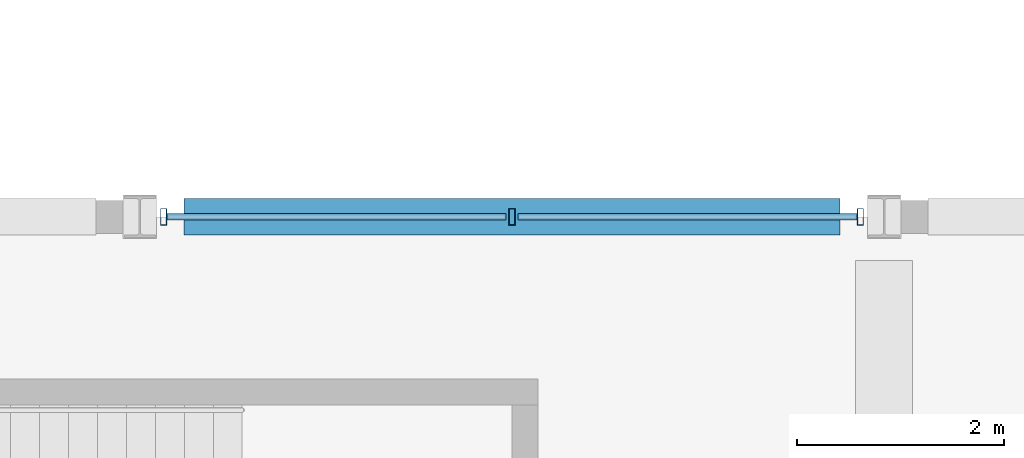
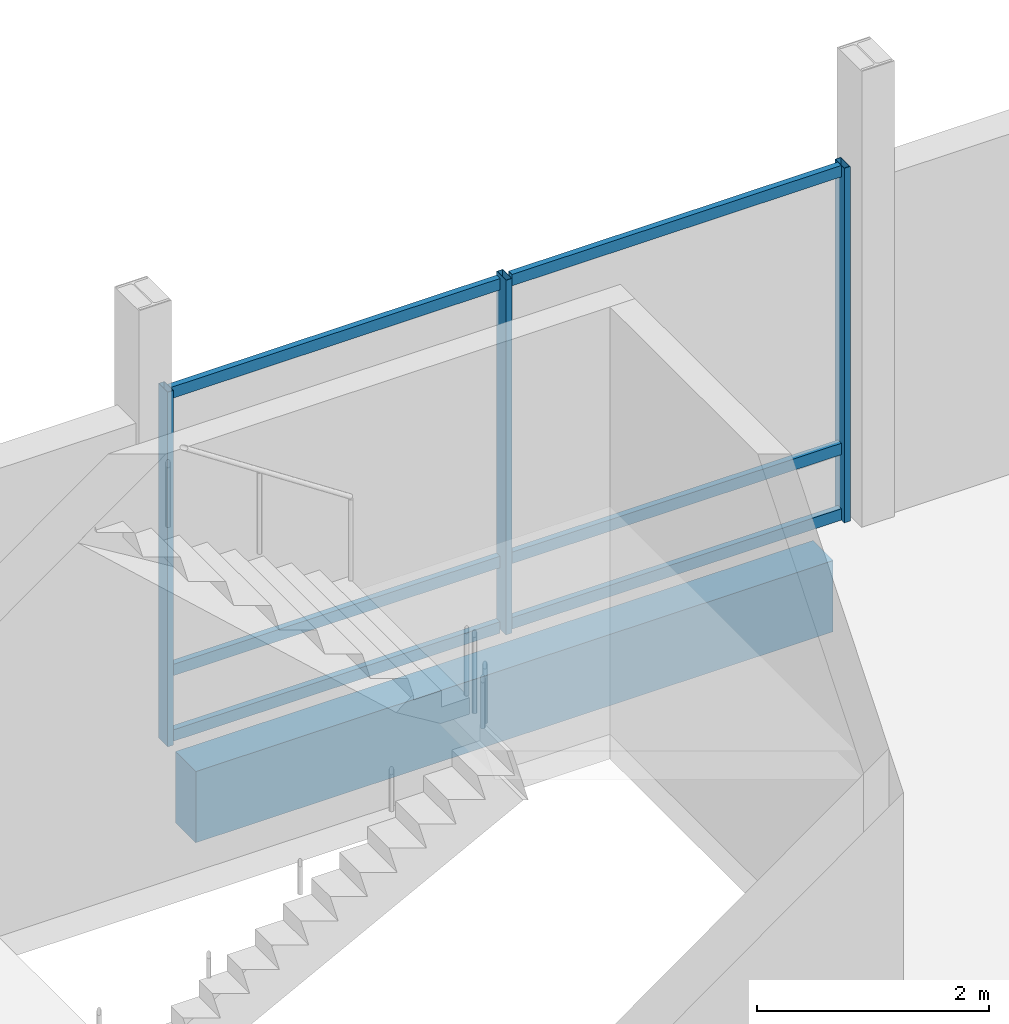
# One storey, part 39 of 220: 9 members, 1 beam, 1 element without a shape of its own.
"""IFC4 building model written with IfcOpenShell, lengths in metres."""

from ifc_helpers import new_model, si_unit, direction, frame, origin, origin_2d, place, context, subcontext, project, spatial, rectangle, hollow_rectangle, extrude, material, material_profile, profile_set, type_object, element, aggregate, save


model = new_model("IFC4")

# Units and contexts
model_context = context("Model", 3, precision=1e-05, world=origin(), true_north=direction((0.0, 1.0)))
body_context = subcontext(model_context, "Body", "Model", "MODEL_VIEW")
ifc_project = project(units=[si_unit("LENGTHUNIT", "METRE"), si_unit("AREAUNIT", "SQUARE_METRE"), si_unit("VOLUMEUNIT", "CUBIC_METRE"), si_unit("PLANEANGLEUNIT", "RADIAN"), si_unit("MASSUNIT", "GRAM", prefix="KILO")], contexts=[model_context])

# Site, building, storey
site_placement = place(None, origin())
site = spatial("IfcSite", under=ifc_project, at=site_placement, CompositionType="ELEMENT")
building_placement = place(site_placement, origin())
building = spatial("IfcBuilding", under=site, at=building_placement, Name="Cendralis Lancet Convention Centre", CompositionType="ELEMENT")
storey_placement = place(building_placement, frame((0.0, 0.0, 5.39990234375)))
storey = spatial("IfcBuildingStorey", under=building, at=storey_placement, Name="L01", CompositionType="ELEMENT", Elevation=5.39990234375)

# Curtain wall, members
ifc_material_1 = material(Name="Anodised bronze architectural aluminium", Category="aluminium")
curtain_wall_type = type_object("IfcCurtainWallType", Name="ARC-CW-CL02", PredefinedType="USERDEFINED", material=ifc_material_1)
curtain_wall_placement = place(storey_placement, origin())
curtain_wall = element("IfcCurtainWall", 1, at=curtain_wall_placement, inside=storey, type_object=curtain_wall_type, Name="L01 Curtain Wall CW-CL2 #167", ObjectType="CURTAIN WALL", PredefinedType="USERDEFINED")
ifc_material_profile_1 = material_profile(ifc_material_1, hollow_rectangle(XDim=0.06005859375, YDim=0.159912109375, WallThickness=0.00390625, at=origin_2d()), Name="AL-MULL 60x160x4.0")
ifc_profile_set_1 = profile_set([ifc_material_profile_1], Name="Anodised bronze architectural aluminium")
member_type_1 = type_object("IfcMemberType", Name="ARC-CW-ML01", PredefinedType="MULLION", material=ifc_profile_set_1)
member_1_placement = place(storey_placement, frame((72.22998046875, 36.0, 0.0), z_axis=(0.0, 0.0, 1.0), x_axis=(1.0, 0.0, 0.0)))
member_1 = element("IfcMember", 2, at=member_1_placement, type_object=member_type_1, Name="Mullion CW2-CW-CL2-L01-167-M0", PredefinedType="MULLION", context=body_context, shape_type="SweptSolid", body=[
    extrude(hollow_rectangle(XDim=0.06005859375, YDim=0.159912109375, WallThickness=0.00390625, at=origin_2d()), origin(), (0.0, 0.0, 1.0), 3.735107421875),
])
member_2_placement = place(storey_placement, frame((75.60009765625, 36.0, 0.0), z_axis=(0.0, 0.0, 1.0), x_axis=(1.0, 0.0, 0.0)))
member_2 = element("IfcMember", 3, at=member_2_placement, type_object=member_type_1, Name="Mullion CW2-CW-CL2-L01-167-M1", PredefinedType="MULLION", context=body_context, shape_type="SweptSolid", body=[
    extrude(hollow_rectangle(XDim=0.06005859375, YDim=0.159912109375, WallThickness=0.00390625, at=origin_2d()), origin(), (0.0, 0.0, 1.0), 3.735107421875),
])
member_3_placement = place(storey_placement, frame((78.969970703125, 36.0, 0.0), z_axis=(0.0, 0.0, 1.0), x_axis=(1.0, 0.0, 0.0)))
member_3 = element("IfcMember", 4, at=member_3_placement, type_object=member_type_1, Name="Mullion CW2-CW-CL2-L01-167-M2", PredefinedType="MULLION", context=body_context, shape_type="SweptSolid", body=[
    extrude(hollow_rectangle(XDim=0.06005859375, YDim=0.159912109375, WallThickness=0.00390625, at=origin_2d()), origin(), (0.0, 0.0, 1.0), 3.735107421875),
])
ifc_material_profile_2 = material_profile(ifc_material_1, hollow_rectangle(XDim=0.06005859375, YDim=0.1201171875, WallThickness=0.00390625, at=origin_2d()), Name="AL-TRAN 60x120x4.0")
ifc_profile_set_2 = profile_set([ifc_material_profile_2], Name="Anodised bronze architectural aluminium")
member_type_2 = type_object("IfcMemberType", Name="ARC-CW-TR01", PredefinedType="USERDEFINED", material=ifc_profile_set_2)
member_4_placement = place(storey_placement, frame((72.260009765625, 36.0, 0.06005859375), z_axis=(1.0, 0.0, 0.0), x_axis=(0.0, 1.0, 0.0)))
member_4 = element("IfcMember", 5, at=member_4_placement, type_object=member_type_2, Name="Transom CW2-CW-CL2-L01-167-T0BOT", ObjectType="TRANSOM", PredefinedType="USERDEFINED", context=body_context, shape_type="SweptSolid", body=[
    extrude(hollow_rectangle(XDim=0.06005859375, YDim=0.1201171875, WallThickness=0.00390625, at=origin_2d()), origin(), (0.0, 0.0, 1.0), 3.280029296875),
])
member_5_placement = place(storey_placement, frame((72.260009765625, 36.0, 0.75), z_axis=(1.0, 0.0, 0.0), x_axis=(0.0, 1.0, 0.0)))
member_5 = element("IfcMember", 6, at=member_5_placement, type_object=member_type_2, Name="Transom CW2-CW-CL2-L01-167-T0MID", ObjectType="TRANSOM", PredefinedType="USERDEFINED", context=body_context, shape_type="SweptSolid", body=[
    extrude(hollow_rectangle(XDim=0.06005859375, YDim=0.1201171875, WallThickness=0.00390625, at=origin_2d()), origin(), (0.0, 0.0, 1.0), 3.280029296875),
])
member_6_placement = place(storey_placement, frame((72.260009765625, 36.0, 3.675048828125), z_axis=(1.0, 0.0, 0.0), x_axis=(0.0, 1.0, 0.0)))
member_6 = element("IfcMember", 7, at=member_6_placement, type_object=member_type_2, Name="Transom CW2-CW-CL2-L01-167-T0TOP", ObjectType="TRANSOM", PredefinedType="USERDEFINED", context=body_context, shape_type="SweptSolid", body=[
    extrude(hollow_rectangle(XDim=0.06005859375, YDim=0.1201171875, WallThickness=0.00390625, at=origin_2d()), origin(), (0.0, 0.0, 1.0), 3.280029296875),
])
member_7_placement = place(storey_placement, frame((75.659912109375, 36.0, 0.06005859375), z_axis=(1.0, 0.0, 0.0), x_axis=(0.0, 1.0, 0.0)))
member_7 = element("IfcMember", 8, at=member_7_placement, type_object=member_type_2, Name="Transom CW2-CW-CL2-L01-167-T1BOT", ObjectType="TRANSOM", PredefinedType="USERDEFINED", context=body_context, shape_type="SweptSolid", body=[
    extrude(hollow_rectangle(XDim=0.06005859375, YDim=0.1201171875, WallThickness=0.00390625, at=origin_2d()), origin(), (0.0, 0.0, 1.0), 3.280029296875),
])
member_8_placement = place(storey_placement, frame((75.659912109375, 36.0, 0.75), z_axis=(1.0, 0.0, 0.0), x_axis=(0.0, 1.0, 0.0)))
member_8 = element("IfcMember", 9, at=member_8_placement, type_object=member_type_2, Name="Transom CW2-CW-CL2-L01-167-T1MID", ObjectType="TRANSOM", PredefinedType="USERDEFINED", context=body_context, shape_type="SweptSolid", body=[
    extrude(hollow_rectangle(XDim=0.06005859375, YDim=0.1201171875, WallThickness=0.00390625, at=origin_2d()), origin(), (0.0, 0.0, 1.0), 3.280029296875),
])
member_9_placement = place(storey_placement, frame((75.659912109375, 36.0, 3.675048828125), z_axis=(1.0, 0.0, 0.0), x_axis=(0.0, 1.0, 0.0)))
member_9 = element("IfcMember", 10, at=member_9_placement, type_object=member_type_2, Name="Transom CW2-CW-CL2-L01-167-T1TOP", ObjectType="TRANSOM", PredefinedType="USERDEFINED", context=body_context, shape_type="SweptSolid", body=[
    extrude(hollow_rectangle(XDim=0.06005859375, YDim=0.1201171875, WallThickness=0.00390625, at=origin_2d()), origin(), (0.0, 0.0, 1.0), 3.280029296875),
])
aggregate(curtain_wall, [member_1, member_2, member_3, member_4, member_5, member_6, member_7, member_8, member_9])

# Beam
ifc_material_2 = material(Name="Concrete G40 (C40/50)", Category="concrete")
ifc_material_profile_3 = material_profile(ifc_material_2, rectangle(XDim=0.35009765625, YDim=0.75, at=origin_2d()), Name="RCB 350x750")
ifc_profile_set_3 = profile_set([ifc_material_profile_3], Name="Concrete G40 (C40/50)")
beam_type = type_object("IfcBeamType", Name="STR-SP-SP01", PredefinedType="SPANDREL", material=ifc_profile_set_3)
beam_placement = place(storey_placement, frame((72.425048828125, 36.0, -0.65478515625), z_axis=(1.0, 0.0, 0.0), x_axis=(0.0, 1.0, 0.0)))
element("IfcBeam", 11, at=beam_placement, inside=storey, type_object=beam_type, Name="L01 Beam SP01 #0767", PredefinedType="SPANDREL", context=body_context, shape_type="SweptSolid", body=[
    extrude(rectangle(XDim=0.35009765625, YDim=0.75, at=origin_2d()), origin(), (0.0, 0.0, 1.0), 6.349853515625),
])

save(model, "model.ifc")
